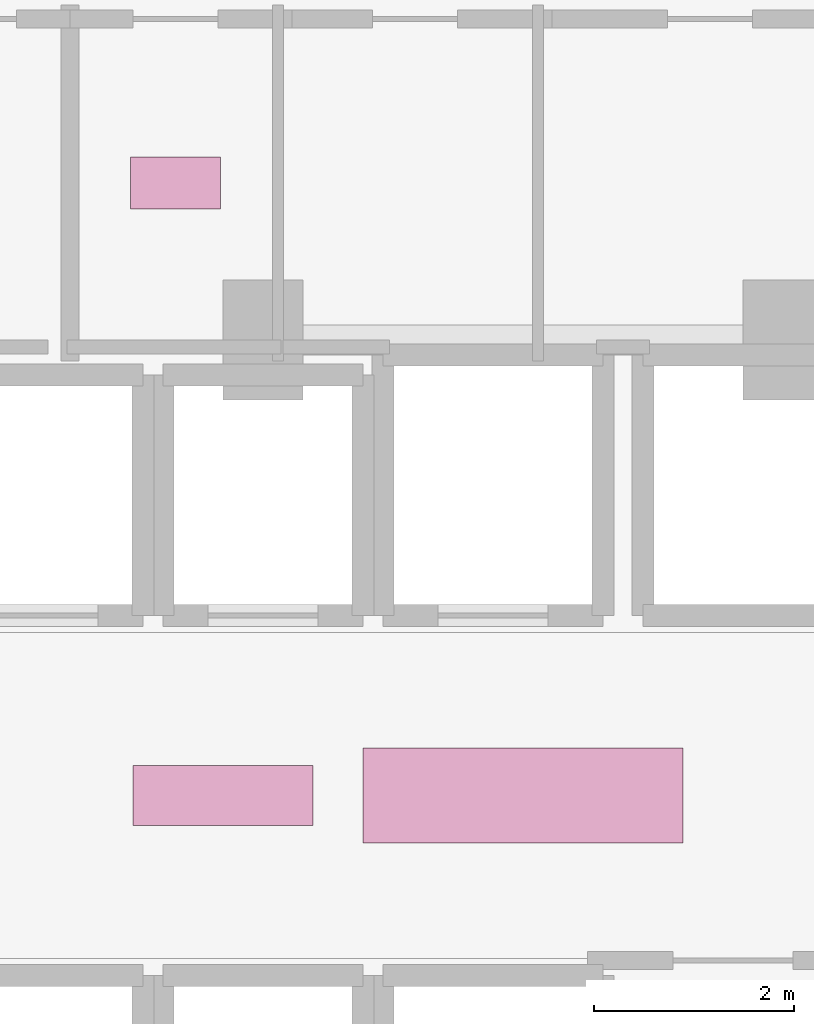
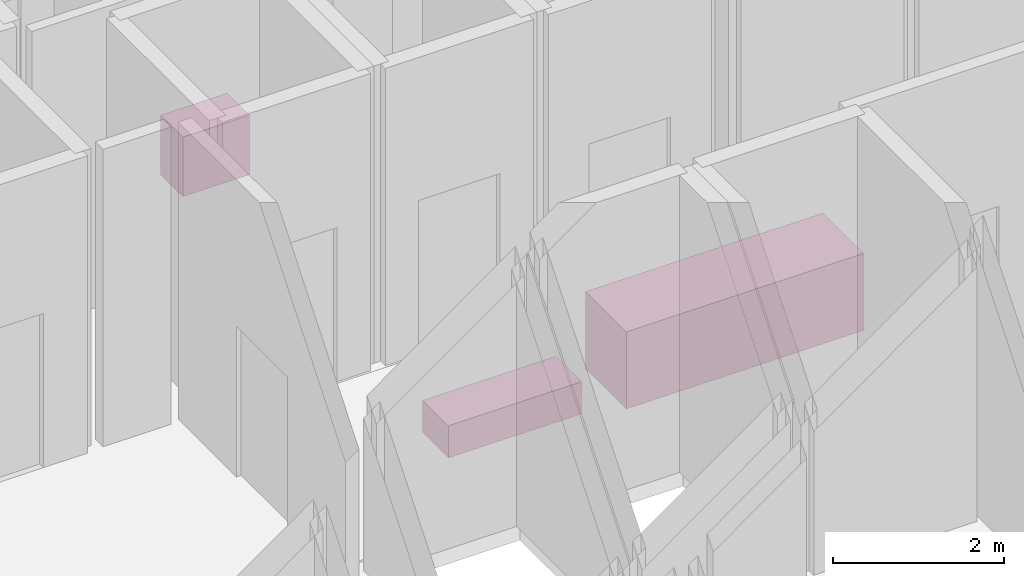
# One storey, part 27 of 27: 3 furnishings.
"""IFC4 building model written with IfcOpenShell, lengths in metres."""

from ifc_helpers import new_model, si_unit, direction, frame, origin, origin_2d, place, context, subcontext, project, spatial, rectangle, extrude, material, type_object, element, save


model = new_model("IFC4")

# Units and contexts
model_context = context("Model", 3, precision=1e-05, world=origin(), true_north=direction((0.0, 1.0)))
body_context = subcontext(model_context, "Body", "Model", "MODEL_VIEW")
ifc_project = project(units=[si_unit("LENGTHUNIT", "METRE"), si_unit("AREAUNIT", "SQUARE_METRE"), si_unit("VOLUMEUNIT", "CUBIC_METRE"), si_unit("PLANEANGLEUNIT", "RADIAN"), si_unit("MASSUNIT", "GRAM", prefix="KILO")], contexts=[model_context])

# Site, building, storey
site_placement = place(None, origin())
site = spatial("IfcSite", under=ifc_project, at=site_placement, CompositionType="ELEMENT")
building_placement = place(site_placement, origin())
building = spatial("IfcBuilding", under=site, at=building_placement, Name="Vorneva Point Tower", CompositionType="ELEMENT")
storey_placement = place(building_placement, frame((0.0, 0.0, 74.300048828125)))
storey = spatial("IfcBuildingStorey", under=building, at=storey_placement, Name="L19", CompositionType="ELEMENT", Elevation=74.300048828125)

# Furnishings
ifc_material_1 = material(Name="Engineered oak fire-rated door leaf", Category="wood")
furniture_type_1 = type_object("IfcFurnitureType", Name="FUR-BNC-1800", AssemblyPlace="NOTDEFINED", PredefinedType="NOTDEFINED", material=ifc_material_1)
furnishing_1_placement = place(storey_placement, frame((35.0, 26.0, -0.005126953125), z_axis=(0.0, 0.0, 1.0), x_axis=(1.0, 0.0, 0.0)))
element("IfcFurnishingElement", 1, at=furnishing_1_placement, inside=storey, type_object=furniture_type_1, Name="L19 Lift Lobby Seating Bench", ObjectType="L19 Lift Lobby Seating Bench", context=body_context, shape_type="SweptSolid", body=[
    extrude(rectangle(XDim=1.800048828125, YDim=0.60009765625, at=origin_2d()), origin(), (0.0, 0.0, 1.0), 0.4599609375),
])
furniture_type_2 = type_object("IfcFurnitureType", Name="FUR-DSK-3200", AssemblyPlace="NOTDEFINED", PredefinedType="NOTDEFINED", material=ifc_material_1)
furnishing_2_placement = place(storey_placement, frame((38.0, 26.0, -0.005126953125), z_axis=(0.0, 0.0, 1.0), x_axis=(1.0, 0.0, 0.0)))
element("IfcFurnishingElement", 2, at=furnishing_2_placement, inside=storey, type_object=furniture_type_2, Name="L19 Reception and Concierge Desk", ObjectType="L19 Reception and Concierge Desk", context=body_context, shape_type="SweptSolid", body=[
    extrude(rectangle(XDim=3.199951171875, YDim=0.949951171875, at=origin_2d()), origin(), (0.0, 0.0, 1.0), 1.10009765625),
])
ifc_material_2 = material(Name="Vitreous china and granite top", Category="masonry")
furniture_type_3 = type_object("IfcFurnitureType", Name="FUR-VAN-900", AssemblyPlace="NOTDEFINED", PredefinedType="NOTDEFINED", material=ifc_material_2)
furnishing_3_placement = place(storey_placement, frame((34.52490234375, 32.1201171875, -0.005126953125), z_axis=(0.0, 0.0, 1.0), x_axis=(1.0, 0.0, 0.0)))
element("IfcFurnishingElement", 3, at=furnishing_3_placement, inside=storey, type_object=furniture_type_3, Name="L19 Accessible WC Vanity Unit", ObjectType="L19 Accessible WC Vanity Unit", context=body_context, shape_type="SweptSolid", body=[
    extrude(rectangle(XDim=0.89990234375, YDim=0.52001953125, at=origin_2d()), origin(), (0.0, 0.0, 1.0), 0.85009765625),
])

save(model, "model.ifc")
